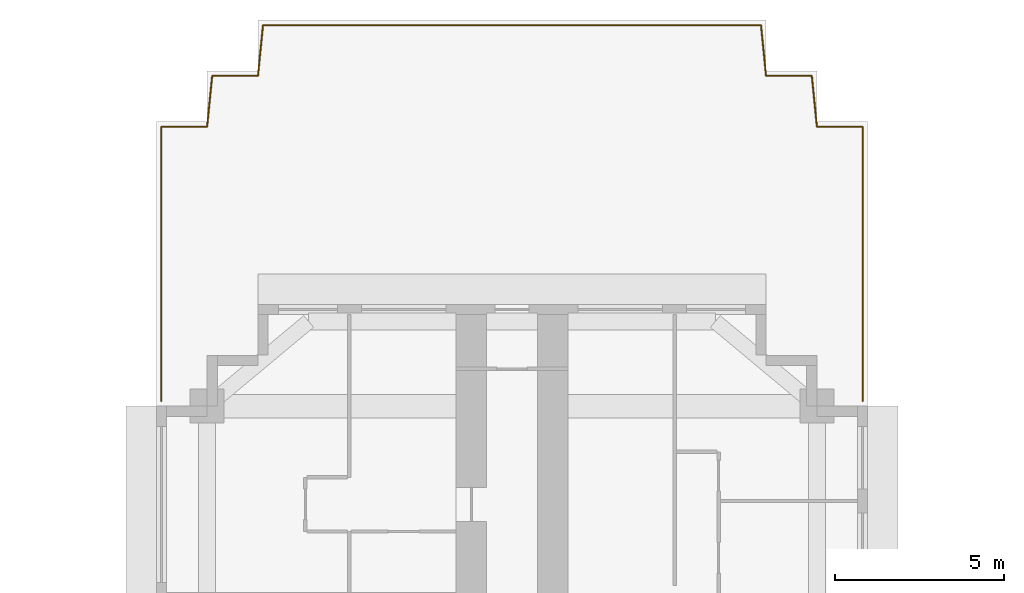
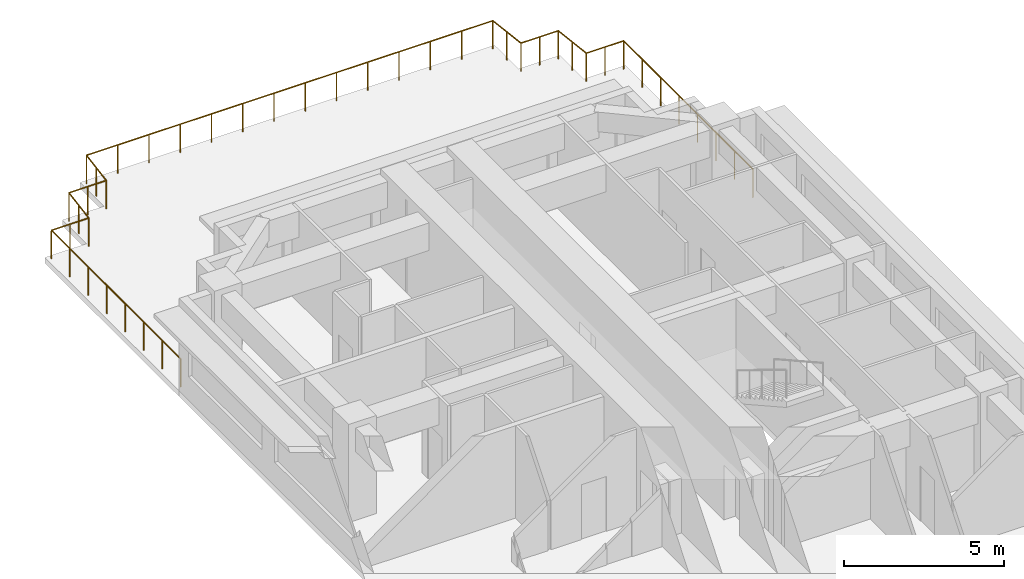
# One storey, part 16 of 16: 1 railing.
"""IFC4 building model written with IfcOpenShell, lengths in metres."""

from ifc_helpers import new_model, si_unit, direction, frame, origin, origin_2d, place, context, subcontext, project, spatial, circle, extrude, material, type_object, element, save


model = new_model("IFC4")

# Units and contexts
model_context = context("Model", 3, precision=1e-05, world=origin(), true_north=direction((0.0, 1.0)))
body_context = subcontext(model_context, "Body", "Model", "MODEL_VIEW")
ifc_project = project(units=[si_unit("LENGTHUNIT", "METRE"), si_unit("AREAUNIT", "SQUARE_METRE"), si_unit("VOLUMEUNIT", "CUBIC_METRE"), si_unit("PLANEANGLEUNIT", "RADIAN"), si_unit("MASSUNIT", "GRAM", prefix="KILO")], contexts=[model_context])

# Site, building, storey
site_placement = place(None, origin())
site = spatial("IfcSite", under=ifc_project, at=site_placement, CompositionType="ELEMENT")
building_placement = place(site_placement, origin())
building = spatial("IfcBuilding", under=site, at=building_placement, Name="Impinga Residences", CompositionType="ELEMENT")
storey_placement = place(building_placement, frame((0.0, 0.0, 106.0)))
storey = spatial("IfcBuildingStorey", under=building, at=storey_placement, Name="L25", CompositionType="ELEMENT", Elevation=106.0)

# Railing
ifc_material = material(Name="Laminated glass guard, stainless steel top rail", Category="steel")
railing_type = type_object("IfcRailingType", Name="GT1 terrace guard 1100, glass infill", PredefinedType="GUARDRAIL", material=ifc_material)
railing_placement = place(storey_placement, frame((-10.35009765625, 36.782470703125, 0.0)))
element("IfcRailing", 1, at=railing_placement, inside=storey, type_object=railing_type, Name="Terrace guard GT1 L25", PredefinedType="GUARDRAIL", context=body_context, shape_type="SweptSolid", body=[
    extrude(circle(Radius=0.02392578125, at=origin_2d()), frame((0.0, 0.0, 1.076171875), z_axis=(0.0, 1.0, 0.0), x_axis=(-1.0, 0.0, 0.0)), (0.0, 0.0, 1.0), 8.09912109375),
    extrude(circle(Radius=0.02392578125, at=origin_2d()), frame((0.0, 8.09912109375, 1.076171875), z_axis=(1.0, 0.0, 0.0), x_axis=(0.0, 1.0, 0.0)), (0.0, 0.0, 1.0), 1.35009765625),
    extrude(circle(Radius=0.02392578125, at=origin_2d()), frame((1.35009765625, 8.09912109375, 1.076171875), z_axis=(0.099439578731, 0.995043602151, 0.0), x_axis=(-0.995043602151, 0.099439578731, 0.0)), (0.0, 0.0, 1.0), 1.507568359375),
    extrude(circle(Radius=0.02392578125, at=origin_2d()), frame((1.5, 9.59912109375, 1.076171875), z_axis=(1.0, 0.0, 0.0), x_axis=(0.0, 1.0, 0.0)), (0.0, 0.0, 1.0), 1.35009765625),
    extrude(circle(Radius=0.02392578125, at=origin_2d()), frame((2.85009765625, 9.59912109375, 1.076171875), z_axis=(0.099439578731, 0.995043602151, 0.0), x_axis=(-0.995043602151, 0.099439578731, 0.0)), (0.0, 0.0, 1.0), 1.507568359375),
    extrude(circle(Radius=0.02392578125, at=origin_2d()), frame((3.0, 11.09912109375, 1.076171875), z_axis=(1.0, 0.0, 0.0), x_axis=(0.0, 1.0, 0.0)), (0.0, 0.0, 1.0), 14.7001953125),
    extrude(circle(Radius=0.02392578125, at=origin_2d()), frame((17.7001953125, 11.09912109375, 1.076171875), z_axis=(0.099439578731, -0.995043602151, 0.0), x_axis=(0.995043602151, 0.099439578731, 0.0)), (0.0, 0.0, 1.0), 1.507568359375),
    extrude(circle(Radius=0.02392578125, at=origin_2d()), frame((17.85009765625, 9.59912109375, 1.076171875), z_axis=(1.0, 0.0, 0.0), x_axis=(0.0, 1.0, 0.0)), (0.0, 0.0, 1.0), 1.35009765625),
    extrude(circle(Radius=0.02392578125, at=origin_2d()), frame((19.2001953125, 9.59912109375, 1.076171875), z_axis=(0.099439578731, -0.995043602151, 0.0), x_axis=(0.995043602151, 0.099439578731, 0.0)), (0.0, 0.0, 1.0), 1.507568359375),
    extrude(circle(Radius=0.02392578125, at=origin_2d()), frame((19.35009765625, 8.09912109375, 1.076171875), z_axis=(1.0, 0.0, 0.0), x_axis=(0.0, 1.0, 0.0)), (0.0, 0.0, 1.0), 1.35009765625),
    extrude(circle(Radius=0.02392578125, at=origin_2d()), frame((20.7001953125, 8.09912109375, 1.076171875), z_axis=(0.0, -1.0, 0.0), x_axis=(1.0, 0.0, 0.0)), (0.0, 0.0, 1.0), 8.09912109375),
    extrude(circle(Radius=0.02099609375, at=origin_2d()), origin(), (0.0, 0.0, 1.0), 1.052001953125),
    extrude(circle(Radius=0.02099609375, at=origin_2d()), frame((0.0, 1.156982421875, 0.0)), (0.0, 0.0, 1.0), 1.052001953125),
    extrude(circle(Radius=0.02099609375, at=origin_2d()), frame((0.0, 2.31396484375, 0.0)), (0.0, 0.0, 1.0), 1.052001953125),
    extrude(circle(Radius=0.02099609375, at=origin_2d()), frame((0.0, 3.470947265625, 0.0)), (0.0, 0.0, 1.0), 1.052001953125),
    extrude(circle(Radius=0.02099609375, at=origin_2d()), frame((0.0, 4.628173828125, 0.0)), (0.0, 0.0, 1.0), 1.052001953125),
    extrude(circle(Radius=0.02099609375, at=origin_2d()), frame((0.0, 5.78515625, 0.0)), (0.0, 0.0, 1.0), 1.052001953125),
    extrude(circle(Radius=0.02099609375, at=origin_2d()), frame((0.0, 6.942138671875, 0.0)), (0.0, 0.0, 1.0), 1.052001953125),
    extrude(circle(Radius=0.02099609375, at=origin_2d()), frame((0.0, 8.09912109375, 0.0)), (0.0, 0.0, 1.0), 1.052001953125),
    extrude(circle(Radius=0.02099609375, at=origin_2d()), frame((0.675048828125, 8.09912109375, 0.0)), (0.0, 0.0, 1.0), 1.052001953125),
    extrude(circle(Radius=0.02099609375, at=origin_2d()), frame((1.35009765625, 8.09912109375, 0.0)), (0.0, 0.0, 1.0), 1.052001953125),
    extrude(circle(Radius=0.02099609375, at=origin_2d()), frame((1.425048828125, 8.84912109375, 0.0)), (0.0, 0.0, 1.0), 1.052001953125),
    extrude(circle(Radius=0.02099609375, at=origin_2d()), frame((1.5, 9.59912109375, 0.0)), (0.0, 0.0, 1.0), 1.052001953125),
    extrude(circle(Radius=0.02099609375, at=origin_2d()), frame((2.175048828125, 9.59912109375, 0.0)), (0.0, 0.0, 1.0), 1.052001953125),
    extrude(circle(Radius=0.02099609375, at=origin_2d()), frame((2.85009765625, 9.59912109375, 0.0)), (0.0, 0.0, 1.0), 1.052001953125),
    extrude(circle(Radius=0.02099609375, at=origin_2d()), frame((2.925048828125, 10.34912109375, 0.0)), (0.0, 0.0, 1.0), 1.052001953125),
    extrude(circle(Radius=0.02099609375, at=origin_2d()), frame((3.0, 11.09912109375, 0.0)), (0.0, 0.0, 1.0), 1.052001953125),
    extrude(circle(Radius=0.02099609375, at=origin_2d()), frame((4.130859375, 11.09912109375, 0.0)), (0.0, 0.0, 1.0), 1.052001953125),
    extrude(circle(Radius=0.02099609375, at=origin_2d()), frame((5.261474609375, 11.09912109375, 0.0)), (0.0, 0.0, 1.0), 1.052001953125),
    extrude(circle(Radius=0.02099609375, at=origin_2d()), frame((6.392333984375, 11.09912109375, 0.0)), (0.0, 0.0, 1.0), 1.052001953125),
    extrude(circle(Radius=0.02099609375, at=origin_2d()), frame((7.523193359375, 11.09912109375, 0.0)), (0.0, 0.0, 1.0), 1.052001953125),
    extrude(circle(Radius=0.02099609375, at=origin_2d()), frame((8.65380859375, 11.09912109375, 0.0)), (0.0, 0.0, 1.0), 1.052001953125),
    extrude(circle(Radius=0.02099609375, at=origin_2d()), frame((9.78466796875, 11.09912109375, 0.0)), (0.0, 0.0, 1.0), 1.052001953125),
    extrude(circle(Radius=0.02099609375, at=origin_2d()), frame((10.91552734375, 11.09912109375, 0.0)), (0.0, 0.0, 1.0), 1.052001953125),
    extrude(circle(Radius=0.02099609375, at=origin_2d()), frame((12.04638671875, 11.09912109375, 0.0)), (0.0, 0.0, 1.0), 1.052001953125),
    extrude(circle(Radius=0.02099609375, at=origin_2d()), frame((13.177001953125, 11.09912109375, 0.0)), (0.0, 0.0, 1.0), 1.052001953125),
    extrude(circle(Radius=0.02099609375, at=origin_2d()), frame((14.307861328125, 11.09912109375, 0.0)), (0.0, 0.0, 1.0), 1.052001953125),
    extrude(circle(Radius=0.02099609375, at=origin_2d()), frame((15.438720703125, 11.09912109375, 0.0)), (0.0, 0.0, 1.0), 1.052001953125),
    extrude(circle(Radius=0.02099609375, at=origin_2d()), frame((16.5693359375, 11.09912109375, 0.0)), (0.0, 0.0, 1.0), 1.052001953125),
    extrude(circle(Radius=0.02099609375, at=origin_2d()), frame((17.7001953125, 11.09912109375, 0.0)), (0.0, 0.0, 1.0), 1.052001953125),
    extrude(circle(Radius=0.02099609375, at=origin_2d()), frame((17.775146484375, 10.34912109375, 0.0)), (0.0, 0.0, 1.0), 1.052001953125),
    extrude(circle(Radius=0.02099609375, at=origin_2d()), frame((17.85009765625, 9.59912109375, 0.0)), (0.0, 0.0, 1.0), 1.052001953125),
    extrude(circle(Radius=0.02099609375, at=origin_2d()), frame((18.525146484375, 9.59912109375, 0.0)), (0.0, 0.0, 1.0), 1.052001953125),
    extrude(circle(Radius=0.02099609375, at=origin_2d()), frame((19.2001953125, 9.59912109375, 0.0)), (0.0, 0.0, 1.0), 1.052001953125),
    extrude(circle(Radius=0.02099609375, at=origin_2d()), frame((19.275146484375, 8.84912109375, 0.0)), (0.0, 0.0, 1.0), 1.052001953125),
    extrude(circle(Radius=0.02099609375, at=origin_2d()), frame((19.35009765625, 8.09912109375, 0.0)), (0.0, 0.0, 1.0), 1.052001953125),
    extrude(circle(Radius=0.02099609375, at=origin_2d()), frame((20.025146484375, 8.09912109375, 0.0)), (0.0, 0.0, 1.0), 1.052001953125),
    extrude(circle(Radius=0.02099609375, at=origin_2d()), frame((20.7001953125, 8.09912109375, 0.0)), (0.0, 0.0, 1.0), 1.052001953125),
    extrude(circle(Radius=0.02099609375, at=origin_2d()), frame((20.7001953125, 6.942138671875, 0.0)), (0.0, 0.0, 1.0), 1.052001953125),
    extrude(circle(Radius=0.02099609375, at=origin_2d()), frame((20.7001953125, 5.78515625, 0.0)), (0.0, 0.0, 1.0), 1.052001953125),
    extrude(circle(Radius=0.02099609375, at=origin_2d()), frame((20.7001953125, 4.628173828125, 0.0)), (0.0, 0.0, 1.0), 1.052001953125),
    extrude(circle(Radius=0.02099609375, at=origin_2d()), frame((20.7001953125, 3.470947265625, 0.0)), (0.0, 0.0, 1.0), 1.052001953125),
    extrude(circle(Radius=0.02099609375, at=origin_2d()), frame((20.7001953125, 2.31396484375, 0.0)), (0.0, 0.0, 1.0), 1.052001953125),
    extrude(circle(Radius=0.02099609375, at=origin_2d()), frame((20.7001953125, 1.156982421875, 0.0)), (0.0, 0.0, 1.0), 1.052001953125),
    extrude(circle(Radius=0.02099609375, at=origin_2d()), frame((20.7001953125, 0.0, 0.0)), (0.0, 0.0, 1.0), 1.052001953125),
])

save(model, "model.ifc")
